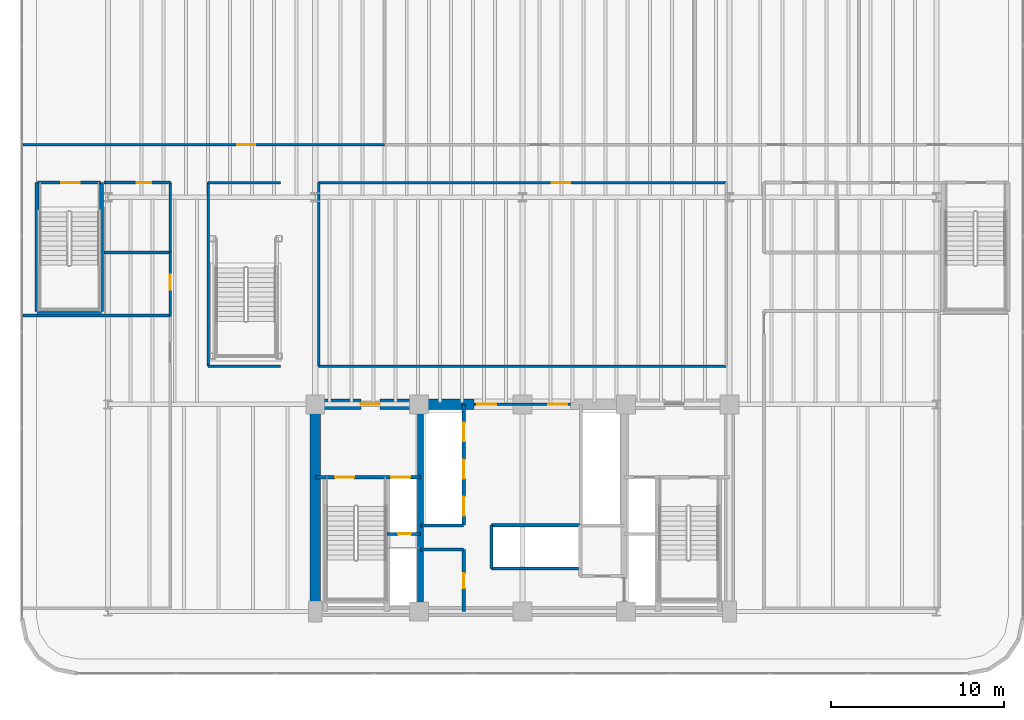
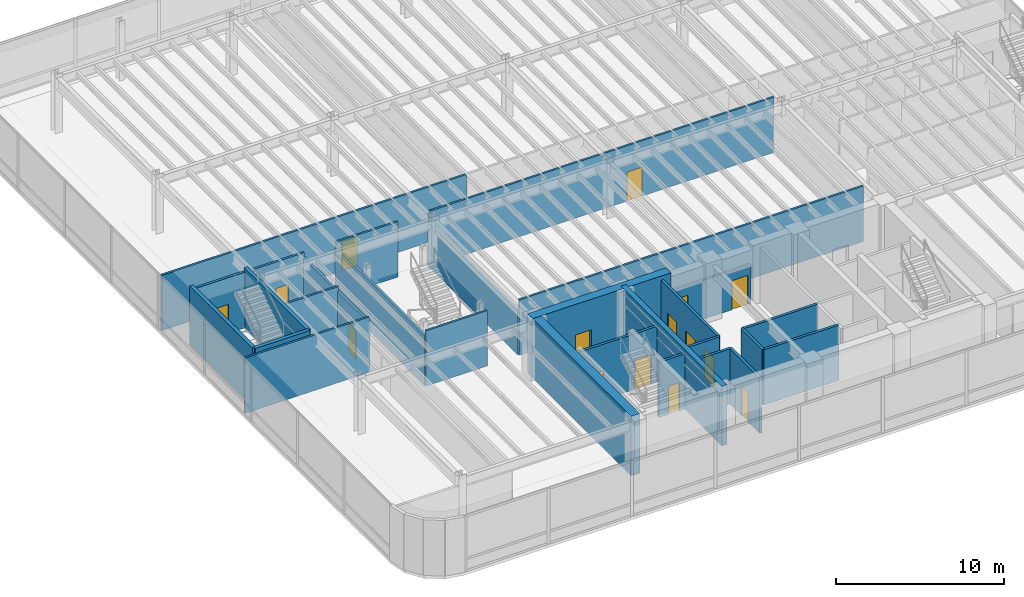
# One storey, part 13 of 19: 29 walls, 15 doors, 15 openings.
"""IFC4 building model written with IfcOpenShell, lengths in metres."""

from ifc_helpers import new_model, si_unit, direction, frame, frame_2d, origin, origin_2d, place, context, subcontext, project, spatial, rectangle, extrude, source, transform, mapped, material, layer, layer_set, type_object, element, fill, save


model = new_model("IFC4")

# Units and contexts
model_context = context("Model", 3, precision=1e-05, world=origin(), true_north=direction((0.0, 1.0)))
body_context = subcontext(model_context, "Body", "Model", "MODEL_VIEW")
ifc_project = project(units=[si_unit("LENGTHUNIT", "METRE"), si_unit("AREAUNIT", "SQUARE_METRE"), si_unit("VOLUMEUNIT", "CUBIC_METRE"), si_unit("PLANEANGLEUNIT", "RADIAN"), si_unit("MASSUNIT", "GRAM", prefix="KILO")], contexts=[model_context])

# Site, building, storey
site_placement = place(None, origin())
site = spatial("IfcSite", under=ifc_project, at=site_placement, CompositionType="ELEMENT")
building_placement = place(site_placement, origin())
building = spatial("IfcBuilding", under=site, at=building_placement, Name="Brelvock Crest Care Tower", CompositionType="ELEMENT")
storey_placement = place(building_placement, frame((0.0, 0.0, 14.0400390625)))
storey = spatial("IfcBuildingStorey", under=building, at=storey_placement, Name="L03", CompositionType="ELEMENT", Elevation=14.0400390625)

# Wall
ifc_material_1 = material(Name="Concrete S80 (80 MPa)", Category="concrete")
ifc_layer_1 = layer(ifc_material_1, 0.60009765625, Name="WL-CS1")
ifc_layer_set_1 = layer_set([ifc_layer_1], Name="Concrete S80 (80 MPa)")
wall_type_1 = type_object("IfcWallType", Name="WL-CS1", PredefinedType="SHEAR", material=ifc_layer_set_1)
wall_1_placement = place(storey_placement, frame((24.0, 6.0, 0.0), z_axis=(0.0, 0.0, 1.0), x_axis=(0.0, 1.0, 0.0)))
element("IfcWall", 1, at=wall_1_placement, inside=storey, type_object=wall_type_1, Name="L03 Core West Shear Wall", PredefinedType="SHEAR", context=body_context, shape_type="SweptSolid", body=[
    extrude(rectangle(XDim=12.0, YDim=0.60009765625, at=frame_2d((6.0, 0.0))), origin(), (0.0, 0.0, 1.0), 4.320068359375),
])

# Wall, opening, door
wall_2_placement = place(storey_placement, frame((23.699951171875, 18.0, 0.0), z_axis=(0.0, 0.0, 1.0), x_axis=(1.0, 0.0, 0.0)))
wall_2 = element("IfcWall", 2, at=wall_2_placement, inside=storey, type_object=wall_type_1, Name="L03 Core North-West Shear Wall", PredefinedType="SHEAR", context=body_context, shape_type="SweptSolid", body=[
    extrude(rectangle(XDim=9.5, YDim=0.60009765625, at=frame_2d((4.75, 0.0))), origin(), (0.0, 0.0, 1.0), 4.320068359375),
])
opening_1_placement = place(wall_2_placement, frame((2.949951171875, 0.0, 0.0)))
opening_1 = element("IfcOpeningElement", 3, at=opening_1_placement, cuts=wall_2, Name="Opening FD-1", PredefinedType="OPENING", context=body_context, shape_type="SweptSolid", body=[
    extrude(rectangle(XDim=1.10009765625, YDim=2.10009765625, at=origin_2d()), frame((0.550048828125, 0.31005859375, 1.050048828125), z_axis=(0.0, -1.0, 0.0), x_axis=(1.0, 0.0, 0.0)), (0.0, 0.0, 1.0), 0.6201171875),
])
ifc_material_2 = material(Name="Steel Grade 350", Category="steel")
door_type_1 = type_object("IfcDoorType", Name="DR-FFL1", OperationType="NOTDEFINED", PredefinedType="DOOR", material=ifc_material_2)
shared_shape_1 = source(origin(), body_context, "Body", "SweptSolid", [
    extrude(rectangle(XDim=1.10009765625, YDim=2.10009765625, at=origin_2d()), frame((0.550048828125, 0.02490234375, 1.050048828125), z_axis=(0.0, -1.0, 0.0), x_axis=(1.0, 0.0, 0.0)), (0.0, 0.0, 1.0), 0.050048828125),
])
door_1_placement = place(opening_1_placement, origin())
door_1 = element("IfcDoor", 4, at=door_1_placement, inside=storey, type_object=door_type_1, Name="L03 Firefighting Lobby FFL-1 Exit Door", OperationType="SINGLE_SWING_LEFT", OverallHeight=2.10009765625, OverallWidth=1.10009765625, PredefinedType="DOOR", context=body_context, shape_type="MappedRepresentation", body=[
    mapped(shared_shape_1, transform((0.0, 0.0, 0.0), x_axis=(1.0, 0.0, 0.0), y_axis=(0.0, 1.0, 0.0), z_axis=(0.0, 0.0, 1.0), scale=1.0)),
])
fill(opening_1, door_1)

# Walls
ifc_layer_2 = layer(ifc_material_1, 0.35009765625, Name="WL-CS5")
ifc_layer_set_2 = layer_set([ifc_layer_2], Name="Concrete S80 (80 MPa)")
wall_type_2 = type_object("IfcWallType", Name="WL-CS5", PredefinedType="SHEAR", material=ifc_layer_set_2)
wall_3_placement = place(storey_placement, frame((30.10009765625, 6.0, 0.0), z_axis=(0.0, 0.0, 1.0), x_axis=(0.0, 1.0, 0.0)))
element("IfcWall", 5, at=wall_3_placement, inside=storey, type_object=wall_type_2, Name="L03 Core Internal Web Wall West", PredefinedType="SHEAR", context=body_context, shape_type="SweptSolid", body=[
    extrude(rectangle(XDim=12.0, YDim=0.35009765625, at=frame_2d((6.0, 0.0))), origin(), (0.0, 0.0, 1.0), 4.320068359375),
])
ifc_layer_3 = layer(ifc_material_1, 0.25, Name="WL-CS6")
ifc_layer_set_3 = layer_set([ifc_layer_3], Name="Concrete S80 (80 MPa)")
wall_type_3 = type_object("IfcWallType", Name="WL-CS6", PredefinedType="SHEAR", material=ifc_layer_set_3)
wall_4_placement = place(storey_placement, frame((7.8798828125, 23.3798828125, 0.0), z_axis=(0.0, 0.0, 1.0), x_axis=(1.0, 0.0, 0.0)))
element("IfcWall", 6, at=wall_4_placement, inside=storey, type_object=wall_type_3, Name="L03 Podium Stair ST-3 South Shear Wall", PredefinedType="SHEAR", context=body_context, shape_type="SweptSolid", body=[
    extrude(rectangle(XDim=3.740234375, YDim=0.25, at=frame_2d((1.8701171875, 0.0))), origin(), (0.0, 0.0, 1.0), 4.320068359375),
])
for number, where, z_axis, x_axis, name in (
    (7, (7.8798828125, 23.3798828125, 0.0), (0.0, 0.0, 1.0), (0.0, 1.0, 0.0), "L03 Podium Stair ST-3 West Shear Wall"),
    (8, (11.6201171875, 23.3798828125, 0.0), (0.0, 0.0, 1.0), (0.0, 1.0, 0.0), "L03 Podium Stair ST-3 East Shear Wall"),
):
    element("IfcWall", number, at=place(storey_placement, frame(where, z_axis=z_axis, x_axis=x_axis)), inside=storey, type_object=wall_type_3, Name=name, PredefinedType="SHEAR", context=body_context, shape_type="SweptSolid", body=[
        extrude(rectangle(XDim=7.47021484375, YDim=0.25, at=frame_2d((3.735107421875, 0.0))), origin(), (0.0, 0.0, 1.0), 4.320068359375),
    ])

# Wall, openings, doors
ifc_material_3 = material(Name="Masonry Blockwork Acoustic Partition", Category="masonry")
ifc_layer_4 = layer(ifc_material_3, 0.14990234375, Name="WL-INT1")
ifc_layer_set_4 = layer_set([ifc_layer_4], Name="Masonry Blockwork Acoustic Partition")
wall_type_4 = type_object("IfcWallType", Name="WL-INT1", PredefinedType="PARTITIONING", material=ifc_layer_set_4)
wall_5_placement = place(storey_placement, frame((33.199951171875, 18.0, 0.0), z_axis=(0.0, 0.0, 1.0), x_axis=(1.0, 0.0, 0.0)))
wall_5 = element("IfcWall", 9, at=wall_5_placement, inside=storey, type_object=wall_type_4, Name="L03 Interior Wall WL-CORE-NPORT-L03", PredefinedType="PARTITIONING", context=body_context, shape_type="SweptSolid", body=[
    extrude(rectangle(XDim=5.60009765625, YDim=0.14990234375, at=frame_2d((2.800048828125, 0.0))), origin(), (0.0, 0.0, 1.0), 2.824951171875),
])
opening_2_placement = place(wall_5_placement, frame((0.18994140625, 0.0, 0.0)))
opening_2 = element("IfcOpeningElement", 10, at=opening_2_placement, cuts=wall_5, Name="Opening FD-1", PredefinedType="OPENING", context=body_context, shape_type="SweptSolid", body=[
    extrude(rectangle(XDim=1.10009765625, YDim=2.10009765625, at=origin_2d()), frame((0.550048828125, 0.0849609375, 1.050048828125), z_axis=(0.0, -1.0, 0.0), x_axis=(1.0, 0.0, 0.0)), (0.0, 0.0, 1.0), 0.169921875),
])
opening_3_placement = place(wall_5_placement, frame((4.31005859375, 0.0, 0.0)))
opening_3 = element("IfcOpeningElement", 11, at=opening_3_placement, cuts=wall_5, Name="Opening FD-1", PredefinedType="OPENING", context=body_context, shape_type="SweptSolid", body=[
    extrude(rectangle(XDim=1.10009765625, YDim=2.10009765625, at=origin_2d()), frame((0.550048828125, 0.0849609375, 1.050048828125), z_axis=(0.0, -1.0, 0.0), x_axis=(1.0, 0.0, 0.0)), (0.0, 0.0, 1.0), 0.169921875),
])
door_2_placement = place(opening_2_placement, origin())
door_2 = element("IfcDoor", 12, at=door_2_placement, inside=storey, type_object=door_type_1, Name="L03 Lift Lobby North Smoke Door West", OperationType="SINGLE_SWING_LEFT", OverallHeight=2.10009765625, OverallWidth=1.10009765625, PredefinedType="DOOR", context=body_context, shape_type="MappedRepresentation", body=[
    mapped(shared_shape_1, transform((0.0, 0.0, 0.0), x_axis=(1.0, 0.0, 0.0), y_axis=(0.0, 1.0, 0.0), z_axis=(0.0, 0.0, 1.0), scale=1.0)),
])
fill(opening_2, door_2)
door_3_placement = place(opening_3_placement, origin())
door_3 = element("IfcDoor", 13, at=door_3_placement, inside=storey, type_object=door_type_1, Name="L03 Lift Lobby North Smoke Door East", OperationType="SINGLE_SWING_RIGHT", OverallHeight=2.10009765625, OverallWidth=1.10009765625, PredefinedType="DOOR", context=body_context, shape_type="MappedRepresentation", body=[
    mapped(shared_shape_1, transform((0.0, 0.0, 0.0), x_axis=(1.0, 0.0, 0.0), y_axis=(0.0, 1.0, 0.0), z_axis=(0.0, 0.0, 1.0), scale=1.0)),
])
fill(opening_3, door_3)

# Walls
wall_6_placement = place(storey_placement, frame((17.800048828125, 20.219970703125, 0.0), z_axis=(0.0, 0.0, 1.0), x_axis=(1.0, 0.0, 0.0)))
element("IfcWall", 14, at=wall_6_placement, inside=storey, type_object=wall_type_4, Name="L03 Interior Wall WL-BX-L03-ATRM-S", PredefinedType="PARTITIONING", context=body_context, shape_type="SweptSolid", body=[
    extrude(rectangle(XDim=4.199951171875, YDim=0.14990234375, at=frame_2d((2.10009765625, 0.0))), origin(), (0.0, 0.0, 1.0), 4.010009765625),
])
wall_7_placement = place(storey_placement, frame((24.199951171875, 20.219970703125, 0.0), z_axis=(0.0, 0.0, 1.0), x_axis=(1.0, 0.0, 0.0)))
element("IfcWall", 15, at=wall_7_placement, inside=storey, type_object=wall_type_4, Name="L03 Interior Wall WL-BX-L03-DIN-S", PredefinedType="PARTITIONING", context=body_context, shape_type="SweptSolid", body=[
    extrude(rectangle(XDim=23.60009765625, YDim=0.14990234375, at=frame_2d((11.800048828125, 0.0))), origin(), (0.0, 0.0, 1.0), 4.010009765625),
])
wall_8_placement = place(storey_placement, frame((7.080078125, 23.14990234375, 0.0), z_axis=(0.0, 0.0, 1.0), x_axis=(1.0, 0.0, 0.0)))
element("IfcWall", 16, at=wall_8_placement, inside=storey, type_object=wall_type_4, Name="L03 Interior Wall WL-BX-L03-PLTW-N", PredefinedType="PARTITIONING", context=body_context, shape_type="SweptSolid", body=[
    extrude(rectangle(XDim=8.52001953125, YDim=0.14990234375, at=frame_2d((4.260009765625, 0.0))), origin(), (0.0, 0.0, 1.0), 4.010009765625),
])
wall_9_placement = place(storey_placement, frame((17.800048828125, 30.85009765625, 0.0), z_axis=(0.0, 0.0, 1.0), x_axis=(1.0, 0.0, 0.0)))
element("IfcWall", 17, at=wall_9_placement, inside=storey, type_object=wall_type_4, Name="L03 Interior Wall WL-BX-L03-ATRM-N", PredefinedType="PARTITIONING", context=body_context, shape_type="SweptSolid", body=[
    extrude(rectangle(XDim=4.199951171875, YDim=0.14990234375, at=frame_2d((2.10009765625, 0.0))), origin(), (0.0, 0.0, 1.0), 4.010009765625),
])

# Wall, opening, door
wall_10_placement = place(storey_placement, frame((24.199951171875, 30.85009765625, 0.0), z_axis=(0.0, 0.0, 1.0), x_axis=(1.0, 0.0, 0.0)))
wall_10 = element("IfcWall", 18, at=wall_10_placement, inside=storey, type_object=wall_type_4, Name="L03 Interior Wall WL-RM-L03-DIN", PredefinedType="PARTITIONING", context=body_context, shape_type="SweptSolid", body=[
    extrude(rectangle(XDim=23.60009765625, YDim=0.14990234375, at=frame_2d((11.800048828125, 0.0))), origin(), (0.0, 0.0, 1.0), 4.010009765625),
])
opening_4_placement = place(wall_10_placement, frame((13.514892578125, 0.0, 0.0)))
opening_4 = element("IfcOpeningElement", 19, at=opening_4_placement, cuts=wall_10, Name="Opening CLD-1", PredefinedType="OPENING", context=body_context, shape_type="SweptSolid", body=[
    extrude(rectangle(XDim=1.050048828125, YDim=2.10009765625, at=origin_2d()), frame((0.52490234375, 0.0849609375, 1.050048828125), z_axis=(0.0, -1.0, 0.0), x_axis=(1.0, 0.0, 0.0)), (0.0, 0.0, 1.0), 0.169921875),
])
ifc_material_4 = material(Name="Engineered Hardwood Timber", Category="wood")
door_type_2 = type_object("IfcDoorType", Name="DR-CLN1", OperationType="NOTDEFINED", PredefinedType="DOOR", material=ifc_material_4)
shared_shape_2 = source(origin(), body_context, "Body", "SweptSolid", [
    extrude(rectangle(XDim=1.050048828125, YDim=2.10009765625, at=origin_2d()), frame((0.52490234375, 0.02490234375, 1.050048828125), z_axis=(0.0, -1.0, 0.0), x_axis=(1.0, 0.0, 0.0)), (0.0, 0.0, 1.0), 0.050048828125),
])
door_4_placement = place(opening_4_placement, origin())
door_4 = element("IfcDoor", 20, at=door_4_placement, inside=storey, type_object=door_type_2, Name="L03 Podium Garden Dining Salon Door DIN", OperationType="SINGLE_SWING_LEFT", OverallHeight=2.10009765625, OverallWidth=1.050048828125, PredefinedType="DOOR", context=body_context, shape_type="MappedRepresentation", body=[
    mapped(shared_shape_2, transform((0.0, 0.0, 0.0), x_axis=(1.0, 0.0, 0.0), y_axis=(0.0, 1.0, 0.0), z_axis=(0.0, 0.0, 1.0), scale=1.0)),
])
fill(opening_4, door_4)

wall_11_placement = place(storey_placement, frame((7.080078125, 33.050048828125, 0.0), z_axis=(0.0, 0.0, 1.0), x_axis=(1.0, 0.0, 0.0)))
wall_11 = element("IfcWall", 21, at=wall_11_placement, inside=storey, type_object=wall_type_4, Name="L03 Interior Wall WL-RM-L03-HYD", PredefinedType="PARTITIONING", context=body_context, shape_type="SweptSolid", body=[
    extrude(rectangle(XDim=20.919921875, YDim=0.14990234375, at=frame_2d((10.4599609375, 0.0))), origin(), (0.0, 0.0, 1.0), 4.010009765625),
])
opening_5_placement = place(wall_11_placement, frame((12.39501953125, 0.0, 0.0)))
opening_5 = element("IfcOpeningElement", 22, at=opening_5_placement, cuts=wall_11, Name="Opening CLD-1", PredefinedType="OPENING", context=body_context, shape_type="SweptSolid", body=[
    extrude(rectangle(XDim=1.050048828125, YDim=2.10009765625, at=origin_2d()), frame((0.52490234375, 0.0849609375, 1.050048828125), z_axis=(0.0, -1.0, 0.0), x_axis=(1.0, 0.0, 0.0)), (0.0, 0.0, 1.0), 0.169921875),
])
door_5_placement = place(opening_5_placement, origin())
door_5 = element("IfcDoor", 23, at=door_5_placement, inside=storey, type_object=door_type_2, Name="L03 Warm-Water Hydrotherapy Hall Door HYD", OperationType="SINGLE_SWING_LEFT", OverallHeight=2.10009765625, OverallWidth=1.050048828125, PredefinedType="DOOR", context=body_context, shape_type="MappedRepresentation", body=[
    mapped(shared_shape_2, transform((0.0, 0.0, 0.0), x_axis=(1.0, 0.0, 0.0), y_axis=(0.0, 1.0, 0.0), z_axis=(0.0, 0.0, 1.0), scale=1.0)),
])
fill(opening_5, door_5)

wall_12_placement = place(storey_placement, frame((15.60009765625, 23.14990234375, 0.0), z_axis=(0.0, 0.0, 1.0), x_axis=(0.0, 1.0, 0.0)))
wall_12 = element("IfcWall", 24, at=wall_12_placement, inside=storey, type_object=wall_type_4, Name="L03 Interior Wall WL-RM-L03-HLIN", PredefinedType="PARTITIONING", context=body_context, shape_type="SweptSolid", body=[
    extrude(rectangle(XDim=3.650146484375, YDim=0.14990234375, at=frame_2d((1.8251953125, 0.0))), origin(), (0.0, 0.0, 1.0), 3.666015625),
])
opening_6_placement = place(wall_12_placement, frame((1.489990234375, 0.0, 0.0)))
opening_6 = element("IfcOpeningElement", 25, at=opening_6_placement, cuts=wall_12, Name="Opening ID-1", PredefinedType="OPENING", context=body_context, shape_type="SweptSolid", body=[
    extrude(rectangle(XDim=0.860107421875, YDim=2.10009765625, at=origin_2d()), frame((0.43017578125, 0.0849609375, 1.050048828125), z_axis=(0.0, -1.0, 0.0), x_axis=(1.0, 0.0, 0.0)), (0.0, 0.0, 1.0), 0.169921875),
])
door_type_3 = type_object("IfcDoorType", Name="DR-INT1", OperationType="NOTDEFINED", PredefinedType="DOOR", material=ifc_material_4)
shared_shape_3 = source(origin(), body_context, "Body", "SweptSolid", [
    extrude(rectangle(XDim=0.860107421875, YDim=2.10009765625, at=origin_2d()), frame((0.43017578125, 0.02490234375, 1.050048828125), z_axis=(0.0, -1.0, 0.0), x_axis=(1.0, 0.0, 0.0)), (0.0, 0.0, 1.0), 0.050048828125),
])
door_6_placement = place(opening_6_placement, origin())
door_6 = element("IfcDoor", 26, at=door_6_placement, inside=storey, type_object=door_type_3, Name="L03 Hydrotherapy Towel and Linen Store Door HLIN", OperationType="SINGLE_SWING_LEFT", OverallHeight=2.10009765625, OverallWidth=0.860107421875, PredefinedType="DOOR", context=body_context, shape_type="MappedRepresentation", body=[
    mapped(shared_shape_3, transform((0.0, 0.0, 0.0), x_axis=(1.0, 0.0, 0.0), y_axis=(0.0, 1.0, 0.0), z_axis=(0.0, 0.0, 1.0), scale=1.0)),
])
fill(opening_6, door_6)

# Walls
wall_13_placement = place(storey_placement, frame((17.800048828125, 20.219970703125, 0.0), z_axis=(0.0, 0.0, 1.0), x_axis=(0.0, 1.0, 0.0)))
element("IfcWall", 27, at=wall_13_placement, inside=storey, type_object=wall_type_4, Name="L03 Interior Wall WL-BX-L03-ATRM-W", PredefinedType="PARTITIONING", context=body_context, shape_type="SweptSolid", body=[
    extrude(rectangle(XDim=10.630126953125, YDim=0.14990234375, at=frame_2d((5.31494140625, 0.0))), origin(), (0.0, 0.0, 1.0), 3.666015625),
])
wall_14_placement = place(storey_placement, frame((24.199951171875, 20.219970703125, 0.0), z_axis=(0.0, 0.0, 1.0), x_axis=(0.0, 1.0, 0.0)))
element("IfcWall", 28, at=wall_14_placement, inside=storey, type_object=wall_type_4, Name="L03 Interior Wall WL-BX-L03-DIN-W", PredefinedType="PARTITIONING", context=body_context, shape_type="SweptSolid", body=[
    extrude(rectangle(XDim=10.630126953125, YDim=0.14990234375, at=frame_2d((5.31494140625, 0.0))), origin(), (0.0, 0.0, 1.0), 3.224853515625),
])
ifc_material_5 = material(Name="Gypsum Plasterboard Partition", Category="gypsum")
ifc_layer_5 = layer(ifc_material_5, 0.159912109375, Name="WL-PLM1")
ifc_layer_set_5 = layer_set([ifc_layer_5], Name="Gypsum Plasterboard Partition")
wall_type_5 = type_object("IfcWallType", Name="WL-PLM1", PredefinedType="PLUMBINGWALL", material=ifc_layer_set_5)
wall_15_placement = place(storey_placement, frame((11.75, 26.800048828125, 0.0), z_axis=(0.0, 0.0, 1.0), x_axis=(1.0, 0.0, 0.0)))
element("IfcWall", 29, at=wall_15_placement, inside=storey, type_object=wall_type_5, Name="L03 Interior Wall WL-BX-L03-CHG-S", PredefinedType="PLUMBINGWALL", context=body_context, shape_type="SweptSolid", body=[
    extrude(rectangle(XDim=3.85009765625, YDim=0.159912109375, at=frame_2d((1.925048828125, 0.0))), origin(), (0.0, 0.0, 1.0), 4.010009765625),
])

# Wall, opening, door
wall_16_placement = place(storey_placement, frame((11.75, 30.85009765625, 0.0), z_axis=(0.0, 0.0, 1.0), x_axis=(1.0, 0.0, 0.0)))
wall_16 = element("IfcWall", 30, at=wall_16_placement, inside=storey, type_object=wall_type_5, Name="L03 Interior Wall WL-RM-L03-CHG", PredefinedType="PLUMBINGWALL", context=body_context, shape_type="SweptSolid", body=[
    extrude(rectangle(XDim=3.85009765625, YDim=0.159912109375, at=frame_2d((1.925048828125, 0.0))), origin(), (0.0, 0.0, 1.0), 4.010009765625),
])
opening_7_placement = place(wall_16_placement, frame((1.89990234375, 0.0, 0.0)))
opening_7 = element("IfcOpeningElement", 31, at=opening_7_placement, cuts=wall_16, Name="Opening WD-1", PredefinedType="OPENING", context=body_context, shape_type="SweptSolid", body=[
    extrude(rectangle(XDim=0.860107421875, YDim=2.10009765625, at=origin_2d()), frame((0.43017578125, 0.08984375, 1.050048828125), z_axis=(0.0, -1.0, 0.0), x_axis=(1.0, 0.0, 0.0)), (0.0, 0.0, 1.0), 0.179931640625),
])
door_type_4 = type_object("IfcDoorType", Name="DR-WC1", OperationType="NOTDEFINED", PredefinedType="DOOR", material=ifc_material_4)
shared_shape_4 = source(origin(), body_context, "Body", "SweptSolid", [
    extrude(rectangle(XDim=0.860107421875, YDim=2.10009765625, at=origin_2d()), frame((0.43017578125, 0.02490234375, 1.050048828125), z_axis=(0.0, -1.0, 0.0), x_axis=(1.0, 0.0, 0.0)), (0.0, 0.0, 1.0), 0.050048828125),
])
door_7_placement = place(opening_7_placement, origin())
door_7 = element("IfcDoor", 32, at=door_7_placement, inside=storey, type_object=door_type_4, Name="L03 Accessible Hydro Change WC Door CHG", OperationType="SINGLE_SWING_LEFT", OverallHeight=2.10009765625, OverallWidth=0.860107421875, PredefinedType="DOOR", context=body_context, shape_type="MappedRepresentation", body=[
    mapped(shared_shape_4, transform((0.0, 0.0, 0.0), x_axis=(1.0, 0.0, 0.0), y_axis=(0.0, 1.0, 0.0), z_axis=(0.0, 0.0, 1.0), scale=1.0)),
])
fill(opening_7, door_7)

# Wall
wall_17_placement = place(storey_placement, frame((15.60009765625, 26.800048828125, 0.0), z_axis=(0.0, 0.0, 1.0), x_axis=(0.0, 1.0, 0.0)))
element("IfcWall", 33, at=wall_17_placement, inside=storey, type_object=wall_type_5, Name="L03 Interior Wall WL-BX-L03-CHG-E", PredefinedType="PLUMBINGWALL", context=body_context, shape_type="SweptSolid", body=[
    extrude(rectangle(XDim=4.050048828125, YDim=0.159912109375, at=frame_2d((2.02490234375, 0.0))), origin(), (0.0, 0.0, 1.0), 3.666015625),
])

# Wall, opening, door
ifc_layer_6 = layer(ifc_material_3, 0.179931640625, Name="WL-SHF1")
ifc_layer_set_6 = layer_set([ifc_layer_6], Name="Masonry Blockwork Acoustic Partition")
wall_type_6 = type_object("IfcWallType", Name="WL-SHF1", PredefinedType="PARTITIONING", material=ifc_layer_set_6)
wall_18_placement = place(storey_placement, frame((7.919921875, 30.85009765625, 0.0), z_axis=(0.0, 0.0, 1.0), x_axis=(1.0, 0.0, 0.0)))
wall_18 = element("IfcWall", 34, at=wall_18_placement, inside=storey, type_object=wall_type_6, Name="L03 Interior Wall WL-ST3-N-L03", PredefinedType="PARTITIONING", context=body_context, shape_type="SweptSolid", body=[
    extrude(rectangle(XDim=3.630126953125, YDim=0.179931640625, at=frame_2d((1.81494140625, 0.0))), origin(), (0.0, 0.0, 1.0), 4.0400390625),
])
opening_8_placement = place(wall_18_placement, frame((1.35009765625, 0.0, 0.0)))
opening_8 = element("IfcOpeningElement", 35, at=opening_8_placement, cuts=wall_18, Name="Opening SD-1", PredefinedType="OPENING", context=body_context, shape_type="SweptSolid", body=[
    extrude(rectangle(XDim=1.10009765625, YDim=2.10009765625, at=origin_2d()), frame((0.550048828125, 0.10009765625, 1.050048828125), z_axis=(0.0, -1.0, 0.0), x_axis=(1.0, 0.0, 0.0)), (0.0, 0.0, 1.0), 0.199951171875),
])
door_type_5 = type_object("IfcDoorType", Name="DR-ST1", OperationType="NOTDEFINED", PredefinedType="DOOR", material=ifc_material_2)
shared_shape_5 = source(origin(), body_context, "Body", "SweptSolid", [
    extrude(rectangle(XDim=1.10009765625, YDim=2.10009765625, at=origin_2d()), frame((0.550048828125, 0.02490234375, 1.050048828125), z_axis=(0.0, -1.0, 0.0), x_axis=(1.0, 0.0, 0.0)), (0.0, 0.0, 1.0), 0.050048828125),
])
door_8_placement = place(opening_8_placement, origin())
door_8 = element("IfcDoor", 36, at=door_8_placement, inside=storey, type_object=door_type_5, Name="L03 Podium Stair ST-3 Door", OperationType="SINGLE_SWING_LEFT", OverallHeight=2.10009765625, OverallWidth=1.10009765625, PredefinedType="DOOR", context=body_context, shape_type="MappedRepresentation", body=[
    mapped(shared_shape_5, transform((0.0, 0.0, 0.0), x_axis=(1.0, 0.0, 0.0), y_axis=(0.0, 1.0, 0.0), z_axis=(0.0, 0.0, 1.0), scale=1.0)),
])
fill(opening_8, door_8)

# Walls
for number, where, z_axis, x_axis, name in (
    (37, (34.199951171875, 11.0, 0.0), (0.0, 0.0, 1.0), (1.0, 0.0, 0.0), "L03 Interior Wall WL-PLM-SHF-L03"),
    (38, (34.199951171875, 8.5, 0.0), (0.0, 0.0, 1.0), (1.0, 0.0, 0.0), "L03 Interior Wall WL-PLM-S-L03"),
):
    element("IfcWall", number, at=place(storey_placement, frame(where, z_axis=z_axis, x_axis=x_axis)), inside=storey, type_object=wall_type_6, Name=name, PredefinedType="PARTITIONING", context=body_context, shape_type="SweptSolid", body=[
        extrude(rectangle(XDim=5.150146484375, YDim=0.179931640625, at=frame_2d((2.5751953125, 0.0))), origin(), (0.0, 0.0, 1.0), 4.010009765625),
    ])
for number, where, z_axis, x_axis, name in (
    (39, (34.199951171875, 8.5, 0.0), (0.0, 0.0, 1.0), (0.0, 1.0, 0.0), "L03 Interior Wall WL-PLM-W-L03"),
    (40, (30.10009765625, 10.97998046875, 0.0), (0.0, 0.0, 1.0), (1.0, 0.0, 0.0), "L03 Interior Wall WL-CSBW-N-L03"),
    (41, (30.10009765625, 9.60009765625, 0.0), (0.0, 0.0, 1.0), (1.0, 0.0, 0.0), "L03 Interior Wall WL-CSBW-S1-L03"),
):
    element("IfcWall", number, at=place(storey_placement, frame(where, z_axis=z_axis, x_axis=x_axis)), inside=storey, type_object=wall_type_6, Name=name, PredefinedType="PARTITIONING", context=body_context, shape_type="SweptSolid", body=[
        extrude(rectangle(XDim=2.5, YDim=0.179931640625, at=frame_2d((1.25, 0.0))), origin(), (0.0, 0.0, 1.0), 4.010009765625),
    ])

# Wall, opening, door
wall_19_placement = place(storey_placement, frame((32.60009765625, 6.0, 0.0), z_axis=(0.0, 0.0, 1.0), x_axis=(0.0, 1.0, 0.0)))
wall_19 = element("IfcWall", 42, at=wall_19_placement, inside=storey, type_object=wall_type_6, Name="L03 Interior Wall WL-CSBW-E-L03", PredefinedType="PARTITIONING", context=body_context, shape_type="SweptSolid", body=[
    extrude(rectangle(XDim=3.60009765625, YDim=0.179931640625, at=frame_2d((1.800048828125, 0.0))), origin(), (0.0, 0.0, 1.0), 4.010009765625),
])
opening_9_placement = place(wall_19_placement, frame((1.35009765625, 0.0, 0.0)))
opening_9 = element("IfcOpeningElement", 43, at=opening_9_placement, cuts=wall_19, Name="Opening ID-1", PredefinedType="OPENING", context=body_context, shape_type="SweptSolid", body=[
    extrude(rectangle(XDim=0.860107421875, YDim=2.10009765625, at=origin_2d()), frame((0.43017578125, 0.10009765625, 1.050048828125), z_axis=(0.0, -1.0, 0.0), x_axis=(1.0, 0.0, 0.0)), (0.0, 0.0, 1.0), 0.199951171875),
])
door_9_placement = place(opening_9_placement, origin())
door_9 = element("IfcDoor", 44, at=door_9_placement, inside=storey, type_object=door_type_3, Name="DR-CSBW-L03", OperationType="SINGLE_SWING_LEFT", OverallHeight=2.10009765625, OverallWidth=0.860107421875, PredefinedType="DOOR", context=body_context, shape_type="MappedRepresentation", body=[
    mapped(shared_shape_3, transform((0.0, 0.0, 0.0), x_axis=(1.0, 0.0, 0.0), y_axis=(0.0, 1.0, 0.0), z_axis=(0.0, 0.0, 1.0), scale=1.0)),
])
fill(opening_9, door_9)

# Wall, openings, doors
wall_20_placement = place(storey_placement, frame((24.0, 13.780029296875, 0.0), z_axis=(0.0, 0.0, 1.0), x_axis=(1.0, 0.0, 0.0)))
wall_20 = element("IfcWall", 45, at=wall_20_placement, inside=storey, type_object=wall_type_6, Name="L03 Interior Wall WL-ST1-N-L03", PredefinedType="PARTITIONING", context=body_context, shape_type="SweptSolid", body=[
    extrude(rectangle(XDim=6.10009765625, YDim=0.179931640625, at=frame_2d((3.050048828125, 0.0))), origin(), (0.0, 0.0, 1.0), 4.010009765625),
])
opening_10_placement = place(wall_20_placement, frame((1.14990234375, 0.0, 0.0)))
opening_10 = element("IfcOpeningElement", 46, at=opening_10_placement, cuts=wall_20, Name="Opening SD-1", PredefinedType="OPENING", context=body_context, shape_type="SweptSolid", body=[
    extrude(rectangle(XDim=1.10009765625, YDim=2.10009765625, at=origin_2d()), frame((0.550048828125, 0.10009765625, 1.050048828125), z_axis=(0.0, -1.0, 0.0), x_axis=(1.0, 0.0, 0.0)), (0.0, 0.0, 1.0), 0.199951171875),
])
opening_11_placement = place(wall_20_placement, frame((4.39990234375, 0.0, 0.0)))
opening_11 = element("IfcOpeningElement", 47, at=opening_11_placement, cuts=wall_20, Name="Opening LD", PredefinedType="OPENING", context=body_context, shape_type="SweptSolid", body=[
    extrude(rectangle(XDim=1.10009765625, YDim=2.10009765625, at=origin_2d()), frame((0.550048828125, 0.10009765625, 1.050048828125), z_axis=(0.0, -1.0, 0.0), x_axis=(1.0, 0.0, 0.0)), (0.0, 0.0, 1.0), 0.199951171875),
])
door_10_placement = place(opening_10_placement, origin())
door_10 = element("IfcDoor", 48, at=door_10_placement, inside=storey, type_object=door_type_5, Name="L03 Fire Stair ST-1 Door", OperationType="SINGLE_SWING_LEFT", OverallHeight=2.10009765625, OverallWidth=1.10009765625, PredefinedType="DOOR", context=body_context, shape_type="MappedRepresentation", body=[
    mapped(shared_shape_5, transform((0.0, 0.0, 0.0), x_axis=(1.0, 0.0, 0.0), y_axis=(0.0, 1.0, 0.0), z_axis=(0.0, 0.0, 1.0), scale=1.0)),
])
fill(opening_10, door_10)
door_type_6 = type_object("IfcDoorType", Name="DR-LD1", OperationType="NOTDEFINED", PredefinedType="DOOR", material=ifc_material_2)
shared_shape_6 = source(origin(), body_context, "Body", "SweptSolid", [
    extrude(rectangle(XDim=1.10009765625, YDim=2.10009765625, at=origin_2d()), frame((0.550048828125, 0.02490234375, 1.050048828125), z_axis=(0.0, -1.0, 0.0), x_axis=(1.0, 0.0, 0.0)), (0.0, 0.0, 1.0), 0.050048828125),
])
door_11_placement = place(opening_11_placement, origin())
door_11 = element("IfcDoor", 49, at=door_11_placement, inside=storey, type_object=door_type_6, Name="L03 Firefighting Lift FFL-1 Landing Door", OperationType="SLIDING_TO_LEFT", OverallHeight=2.10009765625, OverallWidth=1.10009765625, PredefinedType="DOOR", context=body_context, shape_type="MappedRepresentation", body=[
    mapped(shared_shape_6, transform((0.0, 0.0, 0.0), x_axis=(1.0, 0.0, 0.0), y_axis=(0.0, 1.0, 0.0), z_axis=(0.0, 0.0, 1.0), scale=1.0)),
])
fill(opening_11, door_11)

# Wall, opening, door
wall_21_placement = place(storey_placement, frame((28.14990234375, 10.5, 0.0), z_axis=(0.0, 0.0, 1.0), x_axis=(1.0, 0.0, 0.0)))
wall_21 = element("IfcWall", 50, at=wall_21_placement, inside=storey, type_object=wall_type_6, Name="L03 Interior Wall WL-FFH1-S-L03", PredefinedType="PARTITIONING", context=body_context, shape_type="SweptSolid", body=[
    extrude(rectangle(XDim=1.9501953125, YDim=0.179931640625, at=frame_2d((0.97509765625, 0.0))), origin(), (0.0, 0.0, 1.0), 4.010009765625),
])
opening_12_placement = place(wall_21_placement, frame((0.64990234375, 0.0, 0.0)))
opening_12 = element("IfcOpeningElement", 51, at=opening_12_placement, cuts=wall_21, Name="Opening RD-1", PredefinedType="OPENING", context=body_context, shape_type="SweptSolid", body=[
    extrude(rectangle(XDim=0.760009765625, YDim=2.050048828125, at=origin_2d()), frame((0.3798828125, 0.10009765625, 1.02490234375), z_axis=(0.0, -1.0, 0.0), x_axis=(1.0, 0.0, 0.0)), (0.0, 0.0, 1.0), 0.199951171875),
])
door_type_7 = type_object("IfcDoorType", Name="DR-RIS1", OperationType="NOTDEFINED", PredefinedType="DOOR", material=ifc_material_2)
shared_shape_7 = source(origin(), body_context, "Body", "SweptSolid", [
    extrude(rectangle(XDim=0.760009765625, YDim=2.050048828125, at=origin_2d()), frame((0.3798828125, 0.02490234375, 1.02490234375), z_axis=(0.0, -1.0, 0.0), x_axis=(1.0, 0.0, 0.0)), (0.0, 0.0, 1.0), 0.050048828125),
])
door_12_placement = place(opening_12_placement, origin())
door_12 = element("IfcDoor", 52, at=door_12_placement, inside=storey, type_object=door_type_7, Name="L03 Wet Fire Riser Access Door", OperationType="SINGLE_SWING_LEFT", OverallHeight=2.050048828125, OverallWidth=0.760009765625, PredefinedType="DOOR", context=body_context, shape_type="MappedRepresentation", body=[
    mapped(shared_shape_7, transform((0.0, 0.0, 0.0), x_axis=(1.0, 0.0, 0.0), y_axis=(0.0, 1.0, 0.0), z_axis=(0.0, 0.0, 1.0), scale=1.0)),
])
fill(opening_12, door_12)

# Wall, openings, doors
wall_22_placement = place(storey_placement, frame((32.60009765625, 11.0, 0.0), z_axis=(0.0, 0.0, 1.0), x_axis=(0.0, 1.0, 0.0)))
wall_22 = element("IfcWall", 53, at=wall_22_placement, inside=storey, type_object=wall_type_6, Name="L03 Interior Wall WL-PLL-BANK-L03", PredefinedType="PARTITIONING", context=body_context, shape_type="SweptSolid", body=[
    extrude(rectangle(XDim=7.0, YDim=0.179931640625, at=frame_2d((3.5, 0.0))), origin(), (0.0, 0.0, 1.0), 4.010009765625),
])
opening_13_placement = place(wall_22_placement, frame((0.550048828125, 0.0, 0.0)))
opening_13 = element("IfcOpeningElement", 54, at=opening_13_placement, cuts=wall_22, Name="Opening LD", PredefinedType="OPENING", context=body_context, shape_type="SweptSolid", body=[
    extrude(rectangle(XDim=1.10009765625, YDim=2.10009765625, at=origin_2d()), frame((0.550048828125, 0.10009765625, 1.050048828125), z_axis=(0.0, -1.0, 0.0), x_axis=(1.0, 0.0, 0.0)), (0.0, 0.0, 1.0), 0.199951171875),
])
opening_14_placement = place(wall_22_placement, frame((2.699951171875, 0.0, 0.0)))
opening_14 = element("IfcOpeningElement", 55, at=opening_14_placement, cuts=wall_22, Name="Opening LD", PredefinedType="OPENING", context=body_context, shape_type="SweptSolid", body=[
    extrude(rectangle(XDim=1.10009765625, YDim=2.10009765625, at=origin_2d()), frame((0.550048828125, 0.10009765625, 1.050048828125), z_axis=(0.0, -1.0, 0.0), x_axis=(1.0, 0.0, 0.0)), (0.0, 0.0, 1.0), 0.199951171875),
])
opening_15_placement = place(wall_22_placement, frame((4.85009765625, 0.0, 0.0)))
opening_15 = element("IfcOpeningElement", 56, at=opening_15_placement, cuts=wall_22, Name="Opening LD", PredefinedType="OPENING", context=body_context, shape_type="SweptSolid", body=[
    extrude(rectangle(XDim=1.10009765625, YDim=2.10009765625, at=origin_2d()), frame((0.550048828125, 0.10009765625, 1.050048828125), z_axis=(0.0, -1.0, 0.0), x_axis=(1.0, 0.0, 0.0)), (0.0, 0.0, 1.0), 0.199951171875),
])
door_13_placement = place(opening_13_placement, origin())
door_13 = element("IfcDoor", 57, at=door_13_placement, inside=storey, type_object=door_type_6, Name="L03 Lift PL-L1 Landing Door", OperationType="SLIDING_TO_LEFT", OverallHeight=2.10009765625, OverallWidth=1.10009765625, PredefinedType="DOOR", context=body_context, shape_type="MappedRepresentation", body=[
    mapped(shared_shape_6, transform((0.0, 0.0, 0.0), x_axis=(1.0, 0.0, 0.0), y_axis=(0.0, 1.0, 0.0), z_axis=(0.0, 0.0, 1.0), scale=1.0)),
])
fill(opening_13, door_13)
door_14_placement = place(opening_14_placement, origin())
door_14 = element("IfcDoor", 58, at=door_14_placement, inside=storey, type_object=door_type_6, Name="L03 Lift PL-L2 Landing Door", OperationType="SLIDING_TO_LEFT", OverallHeight=2.10009765625, OverallWidth=1.10009765625, PredefinedType="DOOR", context=body_context, shape_type="MappedRepresentation", body=[
    mapped(shared_shape_6, transform((0.0, 0.0, 0.0), x_axis=(1.0, 0.0, 0.0), y_axis=(0.0, 1.0, 0.0), z_axis=(0.0, 0.0, 1.0), scale=1.0)),
])
fill(opening_14, door_14)
door_15_placement = place(opening_15_placement, origin())
door_15 = element("IfcDoor", 59, at=door_15_placement, inside=storey, type_object=door_type_6, Name="L03 Lift PL-L3 Landing Door", OperationType="SLIDING_TO_LEFT", OverallHeight=2.10009765625, OverallWidth=1.10009765625, PredefinedType="DOOR", context=body_context, shape_type="MappedRepresentation", body=[
    mapped(shared_shape_6, transform((0.0, 0.0, 0.0), x_axis=(1.0, 0.0, 0.0), y_axis=(0.0, 1.0, 0.0), z_axis=(0.0, 0.0, 1.0), scale=1.0)),
])
fill(opening_15, door_15)

save(model, "model.ifc")
